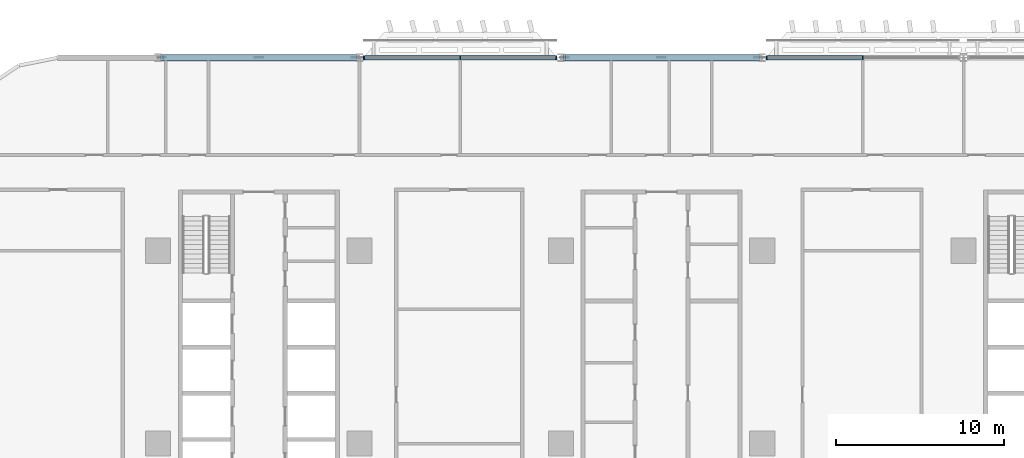
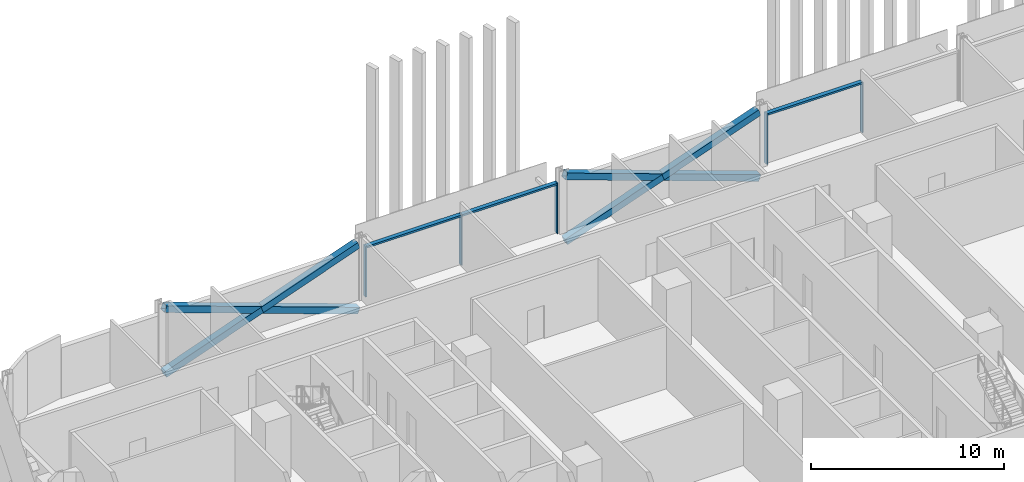
# One storey, part 4 of 29: 14 members, 2 elements without a shape of their own.
"""IFC4 building model written with IfcOpenShell, lengths in metres."""

from ifc_helpers import new_model, si_unit, direction, frame, origin, origin_2d, place, context, subcontext, project, spatial, rectangle, hollow_rectangle, extrude, material, material_profile, profile_set, type_object, element, aggregate, save


model = new_model("IFC4")

# Units and contexts
model_context = context("Model", 3, precision=1e-05, world=origin(), true_north=direction((0.0, 1.0)))
body_context = subcontext(model_context, "Body", "Model", "MODEL_VIEW")
ifc_project = project(units=[si_unit("LENGTHUNIT", "METRE"), si_unit("AREAUNIT", "SQUARE_METRE"), si_unit("VOLUMEUNIT", "CUBIC_METRE"), si_unit("PLANEANGLEUNIT", "RADIAN"), si_unit("MASSUNIT", "GRAM", prefix="KILO")], contexts=[model_context])

# Site, building, storey
site_placement = place(None, origin())
site = spatial("IfcSite", under=ifc_project, at=site_placement, CompositionType="ELEMENT")
building_placement = place(site_placement, origin())
building = spatial("IfcBuilding", under=site, at=building_placement, Name="Mahtab Terrace Research Tower", CompositionType="ELEMENT")
storey_placement = place(building_placement, frame((0.0, 0.0, 46.0)))
storey = spatial("IfcBuildingStorey", under=building, at=storey_placement, Name="L10", CompositionType="ELEMENT", Elevation=46.0)

# Members
ifc_material_1 = material(Name="Steel ASTM A500 Gr C", Category="steel")
ifc_material_profile_1 = material_profile(ifc_material_1, hollow_rectangle(XDim=0.406494140625, YDim=0.406494140625, WallThickness=0.01904296875, at=origin_2d()), Name="HSS16X16X3/4")
ifc_profile_set_1 = profile_set([ifc_material_profile_1], Name="Steel ASTM A500 Gr C")
member_type_1 = type_object("IfcMemberType", Name="HSS 16x16x3/4 brace XB161634", PredefinedType="BRACE", material=ifc_profile_set_1)
member_1_placement = place(storey_placement, frame((5.787841796875, 23.0, -0.642333984375), z_axis=(-0.941386519928, 0.0, 0.337329838731), x_axis=(0.0, -1.0, 0.0)))
element("IfcMember", 1, at=member_1_placement, inside=storey, type_object=member_type_1, Name="Exoskeleton brace L10 05 a", PredefinedType="BRACE", context=body_context, shape_type="SweptSolid", body=[
    extrude(hollow_rectangle(XDim=0.406494140625, YDim=0.406494140625, WallThickness=0.01904296875, at=origin_2d()), origin(), (0.0, 0.0, 1.0), 12.29638671875),
])
for number, where, z_axis, x_axis, name in (
    (2, (-5.787841796875, 23.0, -0.642333984375), (0.941386519928, 0.0, 0.337329838731), (0.0, 1.0, 0.0), "Exoskeleton brace L10 05 b1"),
    (3, (0.0, 23.0, 1.431640625), (0.941386519928, 0.0, 0.337329838731), (0.0, 1.0, 0.0), "Exoskeleton brace L10 05 b2"),
):
    element("IfcMember", number, at=place(storey_placement, frame(where, z_axis=z_axis, x_axis=x_axis)), inside=storey, type_object=member_type_1, Name=name, PredefinedType="BRACE", context=body_context, shape_type="SweptSolid", body=[
        extrude(hollow_rectangle(XDim=0.406494140625, YDim=0.406494140625, WallThickness=0.01904296875, at=origin_2d()), origin(), (0.0, 0.0, 1.0), 6.148193359375),
    ])
member_2_placement = place(storey_placement, frame((-18.212158203125, 23.0, -0.642333984375), z_axis=(-0.941386519928, 0.0, 0.337329838731), x_axis=(0.0, -1.0, 0.0)))
element("IfcMember", 4, at=member_2_placement, inside=storey, type_object=member_type_1, Name="Exoskeleton brace L10 07 a", PredefinedType="BRACE", context=body_context, shape_type="SweptSolid", body=[
    extrude(hollow_rectangle(XDim=0.406494140625, YDim=0.406494140625, WallThickness=0.01904296875, at=origin_2d()), origin(), (0.0, 0.0, 1.0), 12.29638671875),
])
for number, where, z_axis, x_axis, name in (
    (5, (-29.787841796875, 23.0, -0.642333984375), (0.941386519928, 0.0, 0.337329838731), (0.0, 1.0, 0.0), "Exoskeleton brace L10 07 b1"),
    (6, (-24.0, 23.0, 1.431640625), (0.941386519928, 0.0, 0.337329838731), (0.0, 1.0, 0.0), "Exoskeleton brace L10 07 b2"),
):
    element("IfcMember", number, at=place(storey_placement, frame(where, z_axis=z_axis, x_axis=x_axis)), inside=storey, type_object=member_type_1, Name=name, PredefinedType="BRACE", context=body_context, shape_type="SweptSolid", body=[
        extrude(hollow_rectangle(XDim=0.406494140625, YDim=0.406494140625, WallThickness=0.01904296875, at=origin_2d()), origin(), (0.0, 0.0, 1.0), 6.148193359375),
    ])

# Curtain wall, members
ifc_material_2 = material(Name="Sky lounge full-height curtain wall")
curtain_wall_type = type_object("IfcCurtainWallType", Name="Sky lounge full-height curtain wall", PredefinedType="NOTDEFINED", material=ifc_material_2)
curtain_wall_1_placement = place(storey_placement, origin())
curtain_wall_1 = element("IfcCurtainWall", 7, at=curtain_wall_1_placement, inside=storey, type_object=curtain_wall_type, Name="EN.L10.3.6", PredefinedType="NOTDEFINED")
ifc_material_3 = material(Name="Natural anodised aluminium", Category="aluminium")
ifc_material_profile_2 = material_profile(ifc_material_3, rectangle(XDim=0.25, YDim=0.070068359375, at=origin_2d()), Name="MULLION 70x250")
ifc_profile_set_2 = profile_set([ifc_material_profile_2], Name="Natural anodised aluminium")
member_type_2 = type_object("IfcMemberType", Name="Sky lounge full-height curtain wall mullion", PredefinedType="MULLION", material=ifc_profile_set_2)
member_3_placement = place(storey_placement, frame((12.0, 23.0, 0.0), z_axis=(0.0, 0.0, 1.0), x_axis=(0.0, -1.0, 0.0)))
member_3 = element("IfcMember", 8, at=member_3_placement, type_object=member_type_2, Name="CWS-2 mullion 2", PredefinedType="MULLION", context=body_context, shape_type="SweptSolid", body=[
    extrude(rectangle(XDim=0.25, YDim=0.070068359375, at=origin_2d()), origin(), (0.0, 0.0, 1.0), 3.203125),
])
member_4_placement = place(storey_placement, frame((6.27294921875, 23.0, 0.0), z_axis=(0.0, 0.0, 1.0), x_axis=(0.0, -1.0, 0.0)))
member_4 = element("IfcMember", 9, at=member_4_placement, type_object=member_type_2, Name="CWS-2 mullion 3", PredefinedType="MULLION", context=body_context, shape_type="SweptSolid", body=[
    extrude(rectangle(XDim=0.25, YDim=0.070068359375, at=origin_2d()), origin(), (0.0, 0.0, 1.0), 3.203125),
])

curtain_wall_2_placement = place(storey_placement, origin())
curtain_wall_2 = element("IfcCurtainWall", 10, at=curtain_wall_2_placement, inside=storey, type_object=curtain_wall_type, Name="EN.L10.3.8", PredefinedType="NOTDEFINED")
member_5_placement = place(storey_placement, frame((-6.27294921875, 23.0, 0.0), z_axis=(0.0, 0.0, 1.0), x_axis=(0.0, -1.0, 0.0)))
member_5 = element("IfcMember", 11, at=member_5_placement, type_object=member_type_2, Name="CWS-2 mullion 1", PredefinedType="MULLION", context=body_context, shape_type="SweptSolid", body=[
    extrude(rectangle(XDim=0.25, YDim=0.070068359375, at=origin_2d()), origin(), (0.0, 0.0, 1.0), 3.203125),
])
member_6_placement = place(storey_placement, frame((-12.0, 23.0, 0.0), z_axis=(0.0, 0.0, 1.0), x_axis=(0.0, -1.0, 0.0)))
member_6 = element("IfcMember", 12, at=member_6_placement, type_object=member_type_2, Name="CWS-2 mullion 2", PredefinedType="MULLION", context=body_context, shape_type="SweptSolid", body=[
    extrude(rectangle(XDim=0.25, YDim=0.070068359375, at=origin_2d()), origin(), (0.0, 0.0, 1.0), 3.203125),
])
member_7_placement = place(storey_placement, frame((-17.72705078125, 23.0, 0.0), z_axis=(0.0, 0.0, 1.0), x_axis=(0.0, -1.0, 0.0)))
member_7 = element("IfcMember", 13, at=member_7_placement, type_object=member_type_2, Name="CWS-2 mullion 3", PredefinedType="MULLION", context=body_context, shape_type="SweptSolid", body=[
    extrude(rectangle(XDim=0.25, YDim=0.070068359375, at=origin_2d()), origin(), (0.0, 0.0, 1.0), 3.203125),
])

# Member
ifc_material_profile_3 = material_profile(ifc_material_3, rectangle(XDim=0.25, YDim=0.1201171875, at=origin_2d()), Name="TRANSOM 120x250")
ifc_profile_set_3 = profile_set([ifc_material_profile_3], Name="Natural anodised aluminium")
member_type_3 = type_object("IfcMemberType", Name="Sky lounge full-height curtain wall transom", PredefinedType="USERDEFINED", material=ifc_profile_set_3)
member_8_placement = place(storey_placement, frame((11.965087890625, 23.0, 3.14306640625), z_axis=(-1.0, 0.0, 0.0), x_axis=(0.0, -1.0, 0.0)))
member_8 = element("IfcMember", 14, at=member_8_placement, type_object=member_type_3, Name="CWS-2 transom 2", ObjectType="TRANSOM", PredefinedType="USERDEFINED", context=body_context, shape_type="SweptSolid", body=[
    extrude(rectangle(XDim=0.25, YDim=0.1201171875, at=origin_2d()), origin(), (0.0, 0.0, 1.0), 5.656982421875),
])

aggregate(curtain_wall_1, [member_3, member_4, member_8])

member_9_placement = place(storey_placement, frame((-6.30810546875, 23.0, 3.14306640625), z_axis=(-1.0, 0.0, 0.0), x_axis=(0.0, -1.0, 0.0)))
member_9 = element("IfcMember", 15, at=member_9_placement, type_object=member_type_3, Name="CWS-2 transom 1", ObjectType="TRANSOM", PredefinedType="USERDEFINED", context=body_context, shape_type="SweptSolid", body=[
    extrude(rectangle(XDim=0.25, YDim=0.1201171875, at=origin_2d()), origin(), (0.0, 0.0, 1.0), 5.656982421875),
])

member_10_placement = place(storey_placement, frame((-12.034912109375, 23.0, 3.14306640625), z_axis=(-1.0, 0.0, 0.0), x_axis=(0.0, -1.0, 0.0)))
member_10 = element("IfcMember", 16, at=member_10_placement, type_object=member_type_3, Name="CWS-2 transom 2", ObjectType="TRANSOM", PredefinedType="USERDEFINED", context=body_context, shape_type="SweptSolid", body=[
    extrude(rectangle(XDim=0.25, YDim=0.1201171875, at=origin_2d()), origin(), (0.0, 0.0, 1.0), 5.656982421875),
])

aggregate(curtain_wall_2, [member_5, member_6, member_7, member_9, member_10])

save(model, "model.ifc")
